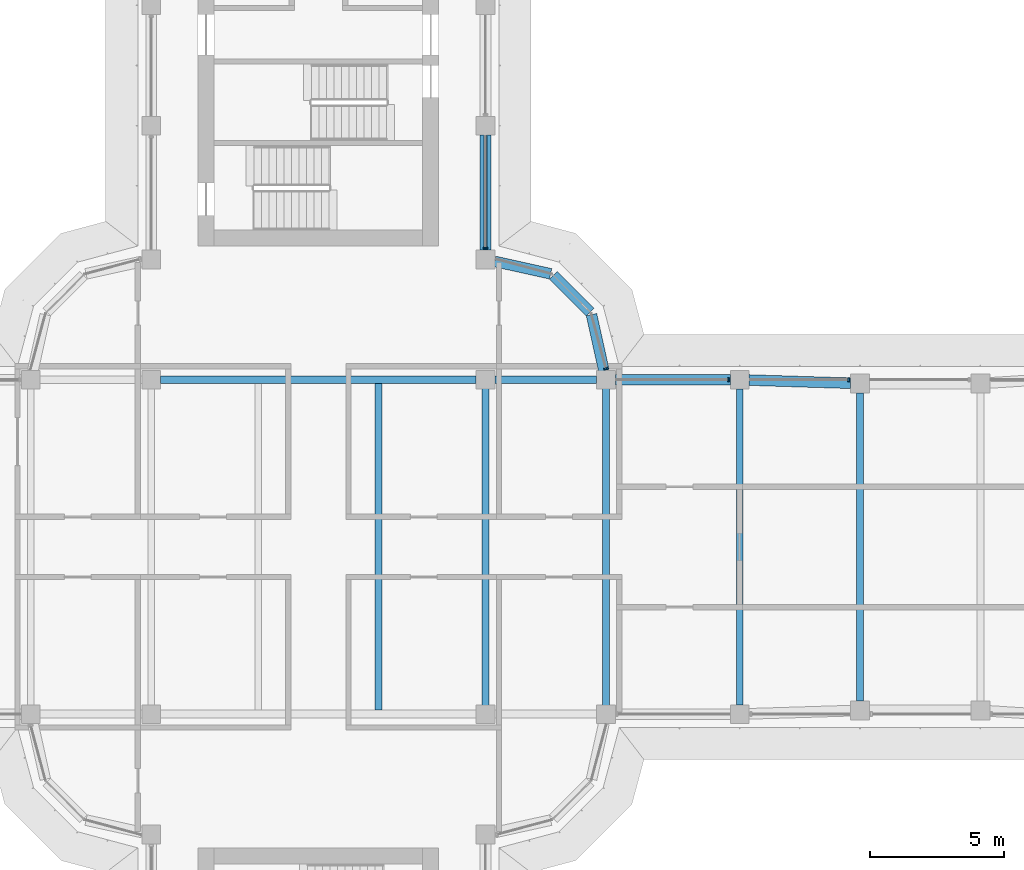
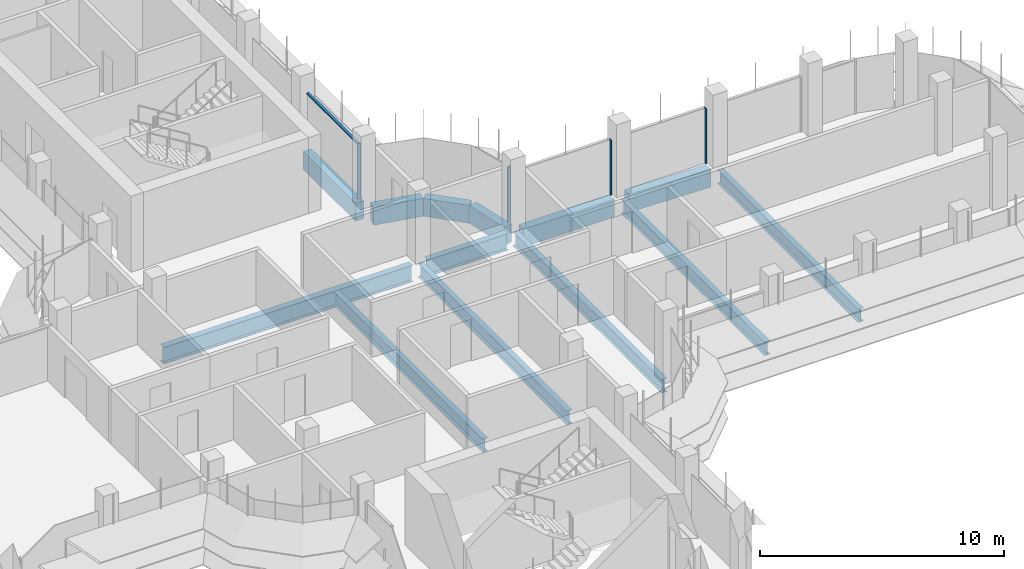
# One storey, part 8 of 19: 13 beams, 5 members, 3 elements without a shape of their own.
"""IFC4 building model written with IfcOpenShell, lengths in metres."""

from ifc_helpers import new_model, si_unit, direction, frame, origin, origin_2d, place, context, subcontext, project, spatial, polyline, rectangle, i_section, outline, extrude, source, transform, mapped, material, material_profile, profile_set, type_object, element, aggregate, save


model = new_model("IFC4")

# Units and contexts
model_context = context("Model", 3, precision=1e-05, world=origin(), true_north=direction((0.0, 1.0)))
body_context = subcontext(model_context, "Body", "Model", "MODEL_VIEW")
ifc_project = project(units=[si_unit("LENGTHUNIT", "METRE"), si_unit("AREAUNIT", "SQUARE_METRE"), si_unit("VOLUMEUNIT", "CUBIC_METRE"), si_unit("PLANEANGLEUNIT", "RADIAN"), si_unit("MASSUNIT", "GRAM", prefix="KILO")], contexts=[model_context])

# Site, building, storey
site_placement = place(None, origin())
site = spatial("IfcSite", under=ifc_project, at=site_placement, CompositionType="ELEMENT")
building_placement = place(site_placement, origin())
building = spatial("IfcBuilding", under=site, at=building_placement, Name="Zarbagh Exchange Tower", CompositionType="ELEMENT")
storey_placement = place(building_placement, frame((0.0, 0.0, 237.199951171875)))
storey = spatial("IfcBuildingStorey", under=building, at=storey_placement, Name="L58", CompositionType="ELEMENT", Elevation=237.199951171875)

# Beams
ifc_material_1 = material(Name="Steel ASTM A992 Gr 50", Category="steel")
ifc_material_profile_1 = material_profile(ifc_material_1, i_section(OverallWidth=0.25390625, OverallDepth=0.67822265625, WebThickness=0.01171875, FlangeThickness=0.016357421875, at=origin_2d()), Name="W27X84")
ifc_profile_set_1 = profile_set([ifc_material_profile_1], Name="Steel ASTM A992 Gr 50")
beam_type_1 = type_object("IfcBeamType", Name="Floor beam W27X84", PredefinedType="BEAM", material=ifc_profile_set_1)
for number, where, z_axis, x_axis, name in (
    (1, (2.25, -6.10400390625, -0.489013671875), (0.0, 1.0, 0.0), (-1.0, 0.0, 0.0), "Steel floor beam"),
    (2, (6.25, -6.10400390625, -0.489013671875), (0.0, 1.0, 0.0), (-1.0, 0.0, 0.0), "Steel floor beam"),
    (3, (10.75, -6.10400390625, -0.489013671875), (0.0, 1.0, 0.0), (-1.0, 0.0, 0.0), "Steel floor beam"),
):
    element("IfcBeam", number, at=place(storey_placement, frame(where, z_axis=z_axis, x_axis=x_axis)), inside=storey, type_object=beam_type_1, Name=name, PredefinedType="BEAM", context=body_context, shape_type="SweptSolid", body=[
        extrude(i_section(OverallWidth=0.25390625, OverallDepth=0.67822265625, WebThickness=0.01171875, FlangeThickness=0.016357421875, at=origin_2d()), origin(), (0.0, 0.0, 1.0), 12.2080078125),
    ])
beam_1_placement = place(storey_placement, frame((15.75, -5.89990234375, -0.489013671875), z_axis=(0.0, 1.0, 0.0), x_axis=(-1.0, 0.0, 0.0)))
element("IfcBeam", 4, at=beam_1_placement, inside=storey, type_object=beam_type_1, Name="Steel floor beam", PredefinedType="BEAM", context=body_context, shape_type="SweptSolid", body=[
    extrude(i_section(OverallWidth=0.25390625, OverallDepth=0.67822265625, WebThickness=0.01171875, FlangeThickness=0.016357421875, at=origin_2d()), origin(), (0.0, 0.0, 1.0), 11.7998046875),
])
beam_2_placement = place(storey_placement, frame((20.25, -5.760009765625, -0.489013671875), z_axis=(0.0, 1.0, 0.0), x_axis=(-1.0, 0.0, 0.0)))
element("IfcBeam", 5, at=beam_2_placement, inside=storey, type_object=beam_type_1, Name="Steel floor beam", PredefinedType="BEAM", context=body_context, shape_type="SweptSolid", body=[
    extrude(i_section(OverallWidth=0.25390625, OverallDepth=0.67822265625, WebThickness=0.01171875, FlangeThickness=0.016357421875, at=origin_2d()), origin(), (0.0, 0.0, 1.0), 11.52001953125),
])
ifc_material_profile_2 = material_profile(ifc_material_1, i_section(OverallWidth=0.2919921875, OverallDepth=0.835693359375, WebThickness=0.013916015625, FlangeThickness=0.018798828125, at=origin_2d()), Name="W33X118")
ifc_profile_set_2 = profile_set([ifc_material_profile_2], Name="Steel ASTM A992 Gr 50")
beam_type_2 = type_object("IfcBeamType", Name="Floor girder W33X118", PredefinedType="BEAM", material=ifc_profile_set_2)
beam_3_placement = place(storey_placement, frame((-5.89990234375, 6.25, -0.56787109375), z_axis=(1.0, 0.0, 0.0), x_axis=(0.0, 1.0, 0.0)))
element("IfcBeam", 6, at=beam_3_placement, inside=storey, type_object=beam_type_2, Name="Steel girder", PredefinedType="BEAM", context=body_context, shape_type="SweptSolid", body=[
    extrude(i_section(OverallWidth=0.2919921875, OverallDepth=0.835693359375, WebThickness=0.013916015625, FlangeThickness=0.018798828125, at=origin_2d()), origin(), (0.0, 0.0, 1.0), 11.7998046875),
])
beam_4_placement = place(storey_placement, frame((6.60009765625, 6.25, -0.56787109375), z_axis=(1.0, 0.0, 0.0), x_axis=(0.0, 1.0, 0.0)))
element("IfcBeam", 7, at=beam_4_placement, inside=storey, type_object=beam_type_2, Name="Steel girder", PredefinedType="BEAM", context=body_context, shape_type="SweptSolid", body=[
    extrude(i_section(OverallWidth=0.2919921875, OverallDepth=0.835693359375, WebThickness=0.013916015625, FlangeThickness=0.018798828125, at=origin_2d()), origin(), (0.0, 0.0, 1.0), 3.7998046875),
])
ifc_material_2 = material(Name="Concrete C50/60", Category="concrete")
ifc_material_profile_3 = material_profile(ifc_material_2, rectangle(XDim=0.39990234375, YDim=0.89990234375, at=origin_2d()), Name="RC spandrel beam 400 x 900 C50/60")
ifc_profile_set_3 = profile_set([ifc_material_profile_3], Name="Concrete C50/60")
beam_type_3 = type_object("IfcBeamType", Name="RC spandrel beam 400 x 900 C50/60", PredefinedType="SPANDREL", material=ifc_profile_set_3)
beam_5_placement = place(storey_placement, frame((6.25, 15.39990234375, -0.599853515625), z_axis=(0.0, -1.0, 0.0), x_axis=(1.0, 0.0, 0.0)))
element("IfcBeam", 8, at=beam_5_placement, inside=storey, type_object=beam_type_3, Name="RC spandrel beam", PredefinedType="SPANDREL", context=body_context, shape_type="SweptSolid", body=[
    extrude(rectangle(XDim=0.39990234375, YDim=0.89990234375, at=origin_2d()), origin(), (0.0, 0.0, 1.0), 4.2998046875),
])
beam_6_placement = place(storey_placement, frame((6.591796875, 10.67431640625, -0.599853515625), z_axis=(0.97639036545, -0.216013551096, 0.0), x_axis=(0.216013551096, 0.97639036545, 0.0)))
element("IfcBeam", 9, at=beam_6_placement, inside=storey, type_object=beam_type_3, Name="RC spandrel beam", PredefinedType="SPANDREL", context=body_context, shape_type="SweptSolid", body=[
    extrude(rectangle(XDim=0.39990234375, YDim=0.89990234375, at=origin_2d()), origin(), (0.0, 0.0, 1.0), 2.142822265625),
])
beam_7_placement = place(storey_placement, frame((8.782470703125, 10.15771484375, -0.599853515625), z_axis=(0.707106781187, -0.707106781187, 0.0), x_axis=(0.707106781187, 0.707106781187, 0.0)))
element("IfcBeam", 10, at=beam_7_placement, inside=storey, type_object=beam_type_3, Name="RC spandrel beam", PredefinedType="SPANDREL", context=body_context, shape_type="SweptSolid", body=[
    extrude(rectangle(XDim=0.39990234375, YDim=0.89990234375, at=origin_2d()), origin(), (0.0, 0.0, 1.0), 1.94482421875),
])
beam_8_placement = place(storey_placement, frame((10.21142578125, 8.68408203125, -0.599853515625), z_axis=(0.216013551096, -0.97639036545, 0.0), x_axis=(0.97639036545, 0.216013551096, 0.0)))
element("IfcBeam", 11, at=beam_8_placement, inside=storey, type_object=beam_type_3, Name="RC spandrel beam", PredefinedType="SPANDREL", context=body_context, shape_type="SweptSolid", body=[
    extrude(rectangle(XDim=0.39990234375, YDim=0.89990234375, at=origin_2d()), origin(), (0.0, 0.0, 1.0), 2.142822265625),
])
beam_9_placement = place(storey_placement, frame((11.10009765625, 6.25, -0.599853515625), z_axis=(1.0, 0.0, 0.0), x_axis=(0.0, 1.0, 0.0)))
element("IfcBeam", 12, at=beam_9_placement, inside=storey, type_object=beam_type_3, Name="RC spandrel beam", PredefinedType="SPANDREL", context=body_context, shape_type="SweptSolid", body=[
    extrude(rectangle(XDim=0.39990234375, YDim=0.89990234375, at=origin_2d()), origin(), (0.0, 0.0, 1.0), 4.2998046875),
])
beam_10_placement = place(storey_placement, frame((16.099853515625, 6.239013671875, -0.599853515625), z_axis=(0.999516950199, -0.031078389046, 0.0), x_axis=(0.031078389046, 0.999516950199, 0.0)))
element("IfcBeam", 13, at=beam_10_placement, inside=storey, type_object=beam_type_3, Name="RC spandrel beam", PredefinedType="SPANDREL", context=body_context, shape_type="SweptSolid", body=[
    extrude(rectangle(XDim=0.39990234375, YDim=0.89990234375, at=origin_2d()), origin(), (0.0, 0.0, 1.0), 3.80224609375),
])

# Curtain wall, members
ifc_material_3 = material(Name="Anodised aluminium frame and glazing", Category="aluminium")
curtain_wall_type = type_object("IfcCurtainWallType", Name="CWB Ribbon glazing, upper zones", PredefinedType="NOTDEFINED", material=ifc_material_3)
curtain_wall_1_placement = place(storey_placement, origin())
curtain_wall_1 = element("IfcCurtainWall", 14, at=curtain_wall_1_placement, inside=storey, type_object=curtain_wall_type, Name="CWB16 curtain wall", PredefinedType="NOTDEFINED")
ifc_material_4 = material(Name="Anodised aluminium frame", Category="aluminium")
member_type_1 = type_object("IfcMemberType", Name="MUB Mullion, anodised aluminium frame", PredefinedType="MULLION", material=ifc_material_4)
shared_shape_1 = source(origin(), body_context, "Body", "SweptSolid", [
    extrude(outline(polyline([(0.0, -0.080078125), (0.06005859375, -0.080078125), (0.06005859375, 0.080078125), (0.0, 0.080078125), (0.0, -0.080078125)])), origin(), (0.0, 0.0, 1.0), 2.75),
])
placement = place(storey_placement, origin())
member_1 = element("IfcMember", 15, at=placement, type_object=member_type_1, Name="CWB16 mullion 3.1", PredefinedType="MULLION", context=body_context, shape_type="MappedRepresentation", body=[
    mapped(shared_shape_1, transform((19.85986328125, 6.25, 0.0), x_axis=(-1.0, 0.0, 0.0), y_axis=(0.0, -1.0, 0.0), z_axis=(0.0, 0.0, 1.0))),
])
member_2 = element("IfcMember", 16, at=placement, type_object=member_type_1, Name="CWB16 mullion 4.1", PredefinedType="MULLION", context=body_context, shape_type="MappedRepresentation", body=[
    mapped(shared_shape_1, transform((15.35986328125, 6.25, 0.0), x_axis=(-1.0, 0.0, 0.0), y_axis=(0.0, -1.0, 0.0), z_axis=(0.0, 0.0, 1.0))),
])
aggregate(curtain_wall_1, [member_1, member_2])

# Curtain wall, member
curtain_wall_2_placement = place(storey_placement, origin())
curtain_wall_2 = element("IfcCurtainWall", 17, at=curtain_wall_2_placement, inside=storey, type_object=curtain_wall_type, Name="CWB17 curtain wall", PredefinedType="NOTDEFINED")
member_3 = element("IfcMember", 18, at=placement, type_object=member_type_1, Name="CWB17 mullion 1.1", PredefinedType="MULLION", context=body_context, shape_type="MappedRepresentation", body=[
    mapped(shared_shape_1, transform((10.76171875, 6.64013671875, 0.0), x_axis=(-0.258824779902, 0.965924289636, 0.0), y_axis=(-0.965924289636, -0.258824779902, 0.0), z_axis=(0.0, 0.0, 1.0))),
])
aggregate(curtain_wall_2, [member_3])

# Curtain wall, members
curtain_wall_3_placement = place(storey_placement, origin())
curtain_wall_3 = element("IfcCurtainWall", 19, at=curtain_wall_3_placement, inside=storey, type_object=curtain_wall_type, Name="CWB67 curtain wall", PredefinedType="NOTDEFINED")
member_4 = element("IfcMember", 20, at=placement, type_object=member_type_1, Name="CWB67 mullion 1.1", PredefinedType="MULLION", context=body_context, shape_type="MappedRepresentation", body=[
    mapped(shared_shape_1, transform((6.25, 11.14013671875, 0.0), x_axis=(0.0, 1.0, 0.0), y_axis=(-1.0, 0.0, 0.0), z_axis=(0.0, 0.0, 1.0))),
])
member_type_2 = type_object("IfcMemberType", Name="TRB Transom, anodised aluminium frame", PredefinedType="USERDEFINED", material=ifc_material_4)
shared_shape_2 = source(origin(), body_context, "Body", "SweptSolid", [
    extrude(outline(polyline([(-0.06005859375, -0.06005859375), (0.0, -0.06005859375), (0.0, 0.06005859375), (-0.06005859375, 0.06005859375), (-0.06005859375, -0.06005859375)])), origin(), (0.0, 0.0, 1.0), 4.159912109375),
])
member_5 = element("IfcMember", 21, at=placement, type_object=member_type_2, Name="CWB67 transom 1.1", ObjectType="TRANSOM", PredefinedType="USERDEFINED", context=body_context, shape_type="MappedRepresentation", body=[
    mapped(shared_shape_2, transform((6.25, 11.199951171875, 2.75), x_axis=(0.0, 0.0, 1.0), y_axis=(1.0, 0.0, 0.0), z_axis=(0.0, 1.0, 0.0))),
])
aggregate(curtain_wall_3, [member_4, member_5])

save(model, "model.ifc")
